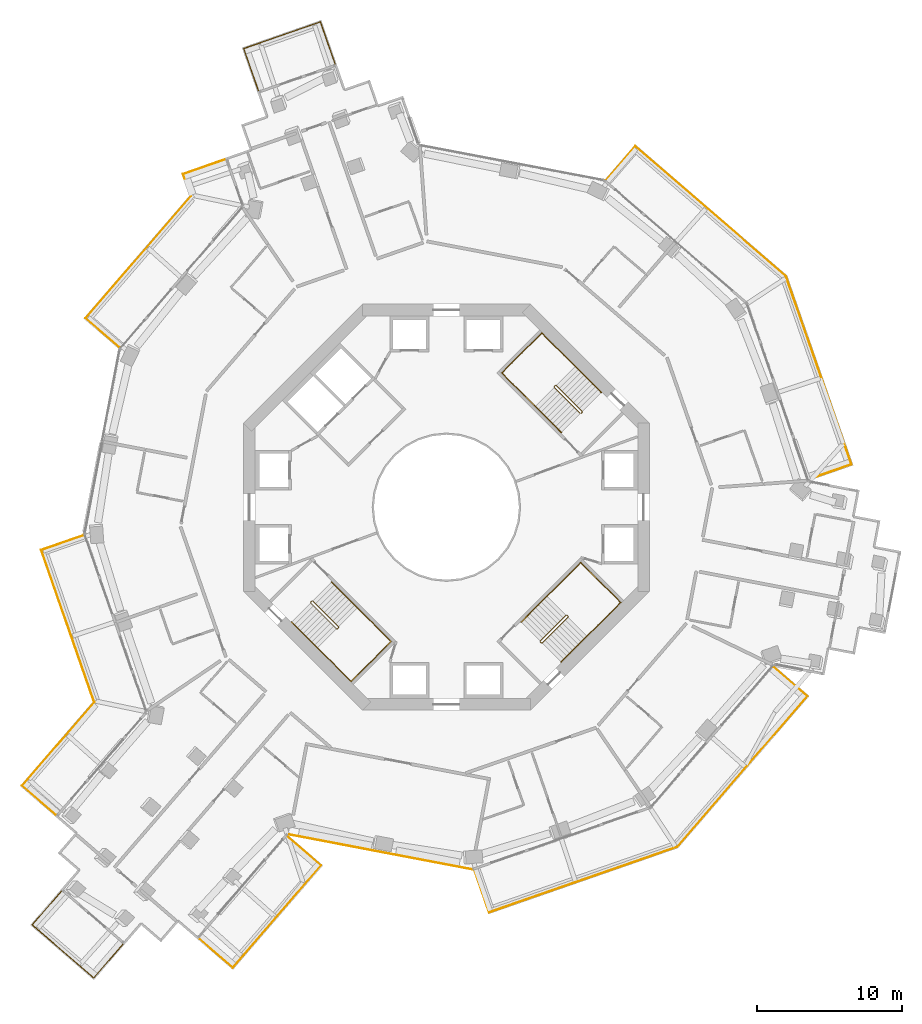
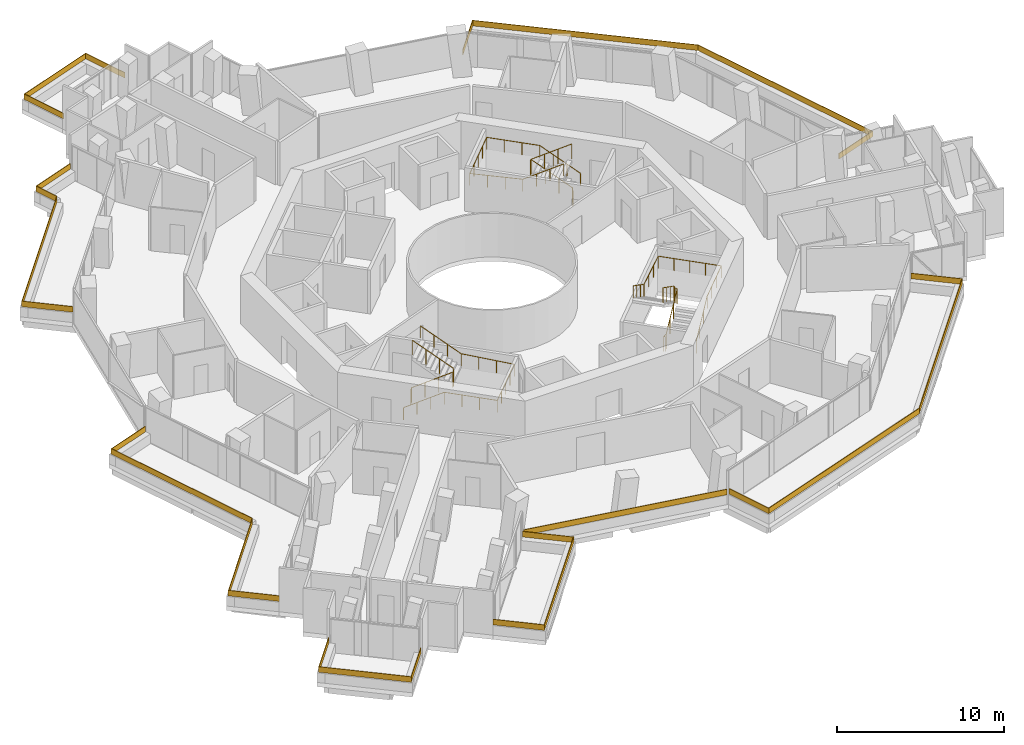
# One storey, part 23 of 23: 14 railings.
"""IFC4 building model written with IfcOpenShell, lengths in metres."""

from ifc_helpers import new_model, si_unit, direction, frame, origin, origin_2d, place, context, subcontext, project, spatial, polyline, rectangle, circle, outline, extrude, material, layer, layer_set, type_object, element, save


model = new_model("IFC4")

# Units and contexts
model_context = context("Model", 3, precision=1e-05, world=origin(), true_north=direction((0.0, 1.0)))
body_context = subcontext(model_context, "Body", "Model", "MODEL_VIEW")
ifc_project = project(units=[si_unit("LENGTHUNIT", "METRE"), si_unit("AREAUNIT", "SQUARE_METRE"), si_unit("VOLUMEUNIT", "CUBIC_METRE"), si_unit("PLANEANGLEUNIT", "RADIAN"), si_unit("MASSUNIT", "GRAM", prefix="KILO")], contexts=[model_context])

# Site, building, storey
site_placement = place(None, origin())
site = spatial("IfcSite", under=ifc_project, at=site_placement, CompositionType="ELEMENT")
building_placement = place(site_placement, origin())
building = spatial("IfcBuilding", under=site, at=building_placement, Name="Verdalira Terraces Hotel", CompositionType="ELEMENT")
storey_placement = place(building_placement, frame((0.0, 0.0, 111.5)))
storey = spatial("IfcBuildingStorey", under=building, at=storey_placement, Name="L26", CompositionType="ELEMENT", Elevation=111.5)

# Railings
ifc_material_1 = material(Name="Laminated glass", Category="glass")
ifc_layer = layer(ifc_material_1, 0.0400390625)
ifc_layer_set = layer_set([ifc_layer], Name="Balcony glass guard 400")
railing_type_1 = type_object("IfcRailingType", Name="Balcony glass guard 400", PredefinedType="GUARDRAIL", material=ifc_layer_set)
railing_1_placement = place(storey_placement, frame((0.0, 0.0, 0.699951)))
element("IfcRailing", 1, at=railing_1_placement, inside=storey, type_object=railing_type_1, Name="Balcony glass guard", PredefinedType="GUARDRAIL", context=body_context, shape_type="SweptSolid", body=[
    extrude(outline(polyline([(-8.70459, 33.449219), (-13.955322, 31.62085), (-12.942627, 28.712891), (-12.980469, 28.699951), (-14.006104, 31.645264), (-8.679932, 33.500244), (-7.654053, 30.554688), (-7.691895, 30.541504), (-8.70459, 33.449219)])), origin(), (0.0, 0.0, 1.0), 0.400146),
])
railing_2_placement = place(storey_placement, frame((0.0, 0.0, 0.699951)))
element("IfcRailing", 2, at=railing_2_placement, inside=storey, type_object=railing_type_1, Name="Balcony glass guard", PredefinedType="GUARDRAIL", context=body_context, shape_type="SweptSolid", body=[
    extrude(outline(polyline([(-18.140625, 22.962646), (-17.609619, 21.437744), (-24.86377, 13.033691), (-22.532959, 11.021973), (-22.559082, 10.991699), (-24.920166, 13.029541), (-17.655029, 21.446533), (-18.19165, 22.987305), (-15.246094, 24.012939), (-15.23291, 23.975342), (-18.140625, 22.962646)])), origin(), (0.0, 0.0, 1.0), 0.400146),
])
railing_3_placement = place(storey_placement, frame((0.0, 0.0, 0.699951)))
element("IfcRailing", 3, at=railing_3_placement, inside=storey, type_object=railing_type_1, Name="Balcony glass guard", PredefinedType="GUARDRAIL", context=body_context, shape_type="SweptSolid", body=[
    extrude(outline(polyline([(-27.915771, -2.965576), (-24.264893, -13.449707), (-29.240479, -19.214111), (-26.909668, -21.226074), (-26.935791, -21.256348), (-29.296875, -19.218262), (-24.310303, -13.441162), (-27.966797, -2.940918), (-25.02124, -1.915283), (-25.008057, -1.952881), (-27.915771, -2.965576)])), origin(), (0.0, 0.0, 1.0), 0.400146),
])
railing_4_placement = place(storey_placement, frame((0.0, 0.0, 0.699951)))
element("IfcRailing", 4, at=railing_4_placement, inside=storey, type_object=railing_type_1, Name="Balcony glass guard", PredefinedType="GUARDRAIL", context=body_context, shape_type="SweptSolid", body=[
    extrude(outline(polyline([(-28.536133, -28.804932), (-24.327148, -32.437988), (-22.31543, -30.107178), (-22.285156, -30.133301), (-24.322998, -32.494385), (-28.592529, -28.809082), (-26.554443, -26.447998), (-26.52417, -26.474121), (-28.536133, -28.804932)])), origin(), (0.0, 0.0, 1.0), 0.400146),
])
railing_5_placement = place(storey_placement, frame((0.0, 0.0, 0.699951)))
element("IfcRailing", 5, at=railing_5_placement, inside=storey, type_object=railing_type_1, Name="Balcony glass guard", PredefinedType="GUARDRAIL", context=body_context, shape_type="SweptSolid", body=[
    extrude(outline(polyline([(-14.736328, -31.733643), (-8.677246, -24.714111), (-11.008057, -22.702148), (-10.981934, -22.671875), (-8.62085, -24.709961), (-14.732178, -31.790039), (-17.093262, -29.751953), (-17.067139, -29.72168), (-14.736328, -31.733643)])), origin(), (0.0, 0.0, 1.0), 0.400146),
])
railing_6_placement = place(storey_placement, frame((0.0, 0.0, 0.699951)))
element("IfcRailing", 6, at=railing_6_placement, inside=storey, type_object=railing_type_1, Name="Balcony glass guard", PredefinedType="GUARDRAIL", context=body_context, shape_type="SweptSolid", body=[
    extrude(outline(polyline([(2.965576, -27.915771), (15.908447, -23.408691), (24.86377, -13.033691), (22.532959, -11.021973), (22.559082, -10.991699), (24.920166, -13.029541), (15.931885, -23.442871), (2.940918, -27.966797), (1.915283, -25.02124), (1.952881, -25.008057), (2.965576, -27.915771)])), origin(), (0.0, 0.0, 1.0), 0.400146),
])
railing_7_placement = place(storey_placement, frame((0.0, 0.0, 0.699951)))
element("IfcRailing", 7, at=railing_7_placement, inside=storey, type_object=railing_type_1, Name="Balcony glass guard", PredefinedType="GUARDRAIL", context=body_context, shape_type="SweptSolid", body=[
    extrude(outline(polyline([(27.915771, 2.965576), (23.408691, 15.908447), (13.033691, 24.86377), (11.021973, 22.532959), (10.991699, 22.559082), (13.029541, 24.920166), (23.442871, 15.931885), (27.966797, 2.940918), (25.02124, 1.915283), (25.008057, 1.952881), (27.915771, 2.965576)])), origin(), (0.0, 0.0, 1.0), 0.400146),
])
railing_8_placement = place(storey_placement, frame((-4.536133, -23.779541, 0.699951), z_axis=(0.0, 0.0, 1.0), x_axis=(0.982287251, -0.187381315, 0.0)))
element("IfcRailing", 8, at=railing_8_placement, inside=storey, type_object=railing_type_1, Name="Loggia glass guard", PredefinedType="GUARDRAIL", context=body_context, shape_type="SweptSolid", body=[
    extrude(rectangle(XDim=12.840088, YDim=0.040039, at=origin_2d()), origin(), (0.0, 0.0, 1.0), 0.399902),
])
ifc_material_2 = material(Name="Stainless steel", Category="steel")
railing_type_2 = type_object("IfcRailingType", Name="Stair guard 1100", PredefinedType="GUARDRAIL", material=ifc_material_2)
railing_9_placement = place(storey_placement, frame((9.369141, 6.540771, 0.0)))
element("IfcRailing", 9, at=railing_9_placement, inside=storey, type_object=railing_type_2, Name="L26 ST1 stair guard 1", PredefinedType="GUARDRAIL", context=body_context, shape_type="SweptSolid", body=[
    extrude(circle(Radius=0.023926, at=origin_2d()), frame((0.0, 0.0, 1.076172), z_axis=(-0.707106781, -0.707106781, 0.0), x_axis=(0.707106781, -0.707106781, 0.0)), (0.0, 0.0, 1.0), 0.100098),
    extrude(circle(Radius=0.023926, at=origin_2d()), frame((-0.070801, -0.070801, 1.076172), z_axis=(0.300162975, 0.599290904, 0.742127078), x_axis=(-0.894118129, 0.447831187, 0.0)), (0.0, 0.0, 1.0), 0.23584),
    extrude(circle(Radius=0.023926, at=origin_2d()), frame((0.0, 0.070557, 1.250977), z_axis=(-0.599637504, 0.599637504, 0.52997144), x_axis=(-0.707106781, -0.707106781, 0.0)), (0.0, 0.0, 1.0), 2.97168),
    extrude(circle(Radius=0.023926, at=origin_2d()), frame((-1.781982, 1.852539, 2.826172), z_axis=(-1.0, 0.0, 0.0), x_axis=(0.0, -1.0, 0.0)), (0.0, 0.0, 1.0), 0.070557),
    extrude(circle(Radius=0.023926, at=origin_2d()), frame((-1.852539, 1.852539, 2.826172), z_axis=(-0.70832698, -0.705884473, 0.0), x_axis=(0.705884473, -0.70832698, 0.0)), (0.0, 0.0, 1.0), 0.099854),
    extrude(circle(Radius=0.023926, at=origin_2d()), frame((-1.92334, 1.781982, 2.826172), z_axis=(0.0, -0.374954687, 0.92704314), x_axis=(1.0, 0.0, 0.0)), (0.0, 0.0, 1.0), 0.188721),
    extrude(circle(Radius=0.023926, at=origin_2d()), frame((-1.92334, 1.711182, 3.000977), z_axis=(0.599637504, -0.599637504, 0.52997144), x_axis=(0.707106781, 0.707106781, 0.0)), (0.0, 0.0, 1.0), 2.97168),
    extrude(circle(Radius=0.020996, at=origin_2d()), origin(), (0.0, 0.0, 1.0), 1.052002),
    extrude(circle(Radius=0.020996, at=origin_2d()), frame((-0.070801, -0.070801, 0.0)), (0.0, 0.0, 1.0), 1.052002),
    extrude(circle(Radius=0.020996, at=origin_2d()), frame((0.0, 0.070557, 0.175049)), (0.0, 0.0, 1.0), 1.052002),
    extrude(circle(Radius=0.020996, at=origin_2d()), frame((-0.593994, 0.664551, 0.699951)), (0.0, 0.0, 1.0), 1.052002),
    extrude(circle(Radius=0.020996, at=origin_2d()), frame((-1.187988, 1.258545, 1.225098)), (0.0, 0.0, 1.0), 1.052002),
    extrude(circle(Radius=0.020996, at=origin_2d()), frame((-1.781982, 1.852539, 1.75)), (0.0, 0.0, 1.0), 1.052002),
    extrude(circle(Radius=0.020996, at=origin_2d()), frame((-1.852539, 1.852539, 1.75)), (0.0, 0.0, 1.0), 1.052002),
    extrude(circle(Radius=0.020996, at=origin_2d()), frame((-1.92334, 1.781982, 1.75)), (0.0, 0.0, 1.0), 1.052002),
    extrude(circle(Radius=0.020996, at=origin_2d()), frame((-1.92334, 1.711182, 1.925049)), (0.0, 0.0, 1.0), 1.052002),
    extrude(circle(Radius=0.020996, at=origin_2d()), frame((-1.329346, 1.117188, 2.449951)), (0.0, 0.0, 1.0), 1.052002),
    extrude(circle(Radius=0.020996, at=origin_2d()), frame((-0.735352, 0.523193, 2.975098)), (0.0, 0.0, 1.0), 1.052002),
    extrude(circle(Radius=0.020996, at=origin_2d()), frame((-0.141357, -0.070801, 3.5)), (0.0, 0.0, 1.0), 1.052002),
])
railing_10_placement = place(storey_placement, frame((-9.369141, -6.540771, 0.0)))
element("IfcRailing", 10, at=railing_10_placement, inside=storey, type_object=railing_type_2, Name="L26 ST2 stair guard 1", PredefinedType="GUARDRAIL", context=body_context, shape_type="SweptSolid", body=[
    extrude(circle(Radius=0.023926, at=origin_2d()), frame((0.0, 0.0, 1.076172), z_axis=(0.707106781, 0.707106781, 0.0), x_axis=(-0.707106781, 0.707106781, 0.0)), (0.0, 0.0, 1.0), 0.100098),
    extrude(circle(Radius=0.023926, at=origin_2d()), frame((0.070801, 0.070801, 1.076172), z_axis=(-0.300162975, -0.599290904, 0.742127078), x_axis=(0.894118129, -0.447831187, 0.0)), (0.0, 0.0, 1.0), 0.23584),
    extrude(circle(Radius=0.023926, at=origin_2d()), frame((0.0, -0.070557, 1.250977), z_axis=(0.599637504, -0.599637504, 0.52997144), x_axis=(0.707106781, 0.707106781, 0.0)), (0.0, 0.0, 1.0), 2.97168),
    extrude(circle(Radius=0.023926, at=origin_2d()), frame((1.781982, -1.852539, 2.826172), z_axis=(1.0, 0.0, 0.0), x_axis=(0.0, 1.0, 0.0)), (0.0, 0.0, 1.0), 0.070557),
    extrude(circle(Radius=0.023926, at=origin_2d()), frame((1.852539, -1.852539, 2.826172), z_axis=(0.70832698, 0.705884473, 0.0), x_axis=(-0.705884473, 0.70832698, 0.0)), (0.0, 0.0, 1.0), 0.099854),
    extrude(circle(Radius=0.023926, at=origin_2d()), frame((1.92334, -1.781982, 2.826172), z_axis=(0.0, 0.374954687, 0.92704314), x_axis=(-1.0, 0.0, 0.0)), (0.0, 0.0, 1.0), 0.188721),
    extrude(circle(Radius=0.023926, at=origin_2d()), frame((1.92334, -1.711182, 3.000977), z_axis=(-0.599637504, 0.599637504, 0.52997144), x_axis=(-0.707106781, -0.707106781, 0.0)), (0.0, 0.0, 1.0), 2.97168),
    extrude(circle(Radius=0.020996, at=origin_2d()), origin(), (0.0, 0.0, 1.0), 1.052002),
    extrude(circle(Radius=0.020996, at=origin_2d()), frame((0.070801, 0.070801, 0.0)), (0.0, 0.0, 1.0), 1.052002),
    extrude(circle(Radius=0.020996, at=origin_2d()), frame((0.0, -0.070557, 0.175049)), (0.0, 0.0, 1.0), 1.052002),
    extrude(circle(Radius=0.020996, at=origin_2d()), frame((0.593994, -0.664551, 0.699951)), (0.0, 0.0, 1.0), 1.052002),
    extrude(circle(Radius=0.020996, at=origin_2d()), frame((1.187988, -1.258545, 1.225098)), (0.0, 0.0, 1.0), 1.052002),
    extrude(circle(Radius=0.020996, at=origin_2d()), frame((1.781982, -1.852539, 1.75)), (0.0, 0.0, 1.0), 1.052002),
    extrude(circle(Radius=0.020996, at=origin_2d()), frame((1.852539, -1.852539, 1.75)), (0.0, 0.0, 1.0), 1.052002),
    extrude(circle(Radius=0.020996, at=origin_2d()), frame((1.92334, -1.781982, 1.75)), (0.0, 0.0, 1.0), 1.052002),
    extrude(circle(Radius=0.020996, at=origin_2d()), frame((1.92334, -1.711182, 1.925049)), (0.0, 0.0, 1.0), 1.052002),
    extrude(circle(Radius=0.020996, at=origin_2d()), frame((1.329346, -1.117188, 2.449951)), (0.0, 0.0, 1.0), 1.052002),
    extrude(circle(Radius=0.020996, at=origin_2d()), frame((0.735352, -0.523193, 2.975098)), (0.0, 0.0, 1.0), 1.052002),
    extrude(circle(Radius=0.020996, at=origin_2d()), frame((0.141357, 0.070801, 3.5)), (0.0, 0.0, 1.0), 1.052002),
])
railing_11_placement = place(storey_placement, frame((6.540771, -9.369141, 0.0)))
element("IfcRailing", 11, at=railing_11_placement, inside=storey, type_object=railing_type_2, Name="L26 ST3 stair guard 1", PredefinedType="GUARDRAIL", context=body_context, shape_type="SweptSolid", body=[
    extrude(circle(Radius=0.023926, at=origin_2d()), frame((0.0, 0.0, 1.076172), z_axis=(-0.707106781, 0.707106781, 0.0), x_axis=(-0.707106781, -0.707106781, 0.0)), (0.0, 0.0, 1.0), 0.100098),
    extrude(circle(Radius=0.023926, at=origin_2d()), frame((-0.070801, 0.070801, 1.076172), z_axis=(0.599290904, -0.300162975, 0.742127078), x_axis=(0.447831187, 0.894118129, 0.0)), (0.0, 0.0, 1.0), 0.23584),
    extrude(circle(Radius=0.023926, at=origin_2d()), frame((0.070557, 0.0, 1.250977), z_axis=(0.599637504, 0.599637504, 0.52997144), x_axis=(-0.707106781, 0.707106781, 0.0)), (0.0, 0.0, 1.0), 2.97168),
    extrude(circle(Radius=0.023926, at=origin_2d()), frame((1.852539, 1.781982, 2.826172), z_axis=(0.0, 1.0, 0.0), x_axis=(-1.0, 0.0, 0.0)), (0.0, 0.0, 1.0), 0.070557),
    extrude(circle(Radius=0.023926, at=origin_2d()), frame((1.852539, 1.852539, 2.826172), z_axis=(-0.705884473, 0.70832698, 0.0), x_axis=(-0.70832698, -0.705884473, 0.0)), (0.0, 0.0, 1.0), 0.099854),
    extrude(circle(Radius=0.023926, at=origin_2d()), frame((1.781982, 1.92334, 2.826172), z_axis=(-0.374954687, 0.0, 0.92704314), x_axis=(0.0, -1.0, 0.0)), (0.0, 0.0, 1.0), 0.188721),
    extrude(circle(Radius=0.023926, at=origin_2d()), frame((1.711182, 1.92334, 3.000977), z_axis=(-0.599637504, -0.599637504, 0.52997144), x_axis=(0.707106781, -0.707106781, 0.0)), (0.0, 0.0, 1.0), 2.97168),
    extrude(circle(Radius=0.020996, at=origin_2d()), origin(), (0.0, 0.0, 1.0), 1.052002),
    extrude(circle(Radius=0.020996, at=origin_2d()), frame((-0.070801, 0.070801, 0.0)), (0.0, 0.0, 1.0), 1.052002),
    extrude(circle(Radius=0.020996, at=origin_2d()), frame((0.070557, 0.0, 0.175049)), (0.0, 0.0, 1.0), 1.052002),
    extrude(circle(Radius=0.020996, at=origin_2d()), frame((0.664551, 0.593994, 0.699951)), (0.0, 0.0, 1.0), 1.052002),
    extrude(circle(Radius=0.020996, at=origin_2d()), frame((1.258545, 1.187988, 1.225098)), (0.0, 0.0, 1.0), 1.052002),
    extrude(circle(Radius=0.020996, at=origin_2d()), frame((1.852539, 1.781982, 1.75)), (0.0, 0.0, 1.0), 1.052002),
    extrude(circle(Radius=0.020996, at=origin_2d()), frame((1.852539, 1.852539, 1.75)), (0.0, 0.0, 1.0), 1.052002),
    extrude(circle(Radius=0.020996, at=origin_2d()), frame((1.781982, 1.92334, 1.75)), (0.0, 0.0, 1.0), 1.052002),
    extrude(circle(Radius=0.020996, at=origin_2d()), frame((1.711182, 1.92334, 1.925049)), (0.0, 0.0, 1.0), 1.052002),
    extrude(circle(Radius=0.020996, at=origin_2d()), frame((1.117188, 1.329346, 2.449951)), (0.0, 0.0, 1.0), 1.052002),
    extrude(circle(Radius=0.020996, at=origin_2d()), frame((0.523193, 0.735352, 2.975098)), (0.0, 0.0, 1.0), 1.052002),
    extrude(circle(Radius=0.020996, at=origin_2d()), frame((-0.070801, 0.141357, 3.5)), (0.0, 0.0, 1.0), 1.052002),
])
ifc_material_3 = material(Name="Stainless steel", Category="steel")
railing_type_3 = type_object("IfcRailingType", Name="Stair handrail 900", PredefinedType="HANDRAIL", material=ifc_material_3)
railing_12_placement = place(storey_placement, frame((10.677246, 7.919678, 0.175049)))
element("IfcRailing", 12, at=railing_12_placement, inside=storey, type_object=railing_type_3, Name="L26 ST1 stair handrail 1", PredefinedType="HANDRAIL", context=body_context, shape_type="SweptSolid", body=[
    extrude(circle(Radius=0.023926, at=origin_2d()), frame((0.0, 0.0, 0.875977), z_axis=(-0.599614426, 0.599614426, 0.530023659), x_axis=(-0.707106781, -0.707106781, 0.0)), (0.0, 0.0, 1.0), 2.971436),
    extrude(circle(Radius=0.023926, at=origin_2d()), frame((-1.781738, 1.781738, 2.450684), z_axis=(-0.707106781, 0.707106781, 0.0), x_axis=(-0.707106781, -0.707106781, 0.0)), (0.0, 0.0, 1.0), 3.280029),
    extrude(circle(Radius=0.023926, at=origin_2d()), frame((-4.101074, 4.101074, 2.450684), z_axis=(-0.707138081, -0.70707548, 0.0), x_axis=(0.70707548, -0.707138081, 0.0)), (0.0, 0.0, 1.0), 3.899902),
    extrude(circle(Radius=0.023926, at=origin_2d()), frame((-6.858887, 1.343506, 2.450684), z_axis=(0.706101958, -0.706101958, 0.053292116), x_axis=(0.707106781, 0.707106781, 0.0)), (0.0, 0.0, 1.0), 3.284668),
    extrude(circle(Radius=0.023926, at=origin_2d()), frame((-4.539551, -0.97583, 2.625977), z_axis=(0.599637504, -0.599637504, 0.52997144), x_axis=(0.707106781, 0.707106781, 0.0)), (0.0, 0.0, 1.0), 2.97168),
    extrude(circle(Radius=0.020996, at=origin_2d()), origin(), (0.0, 0.0, 1.0), 0.851807),
    extrude(circle(Radius=0.020996, at=origin_2d()), frame((-0.593994, 0.593994, 0.524902)), (0.0, 0.0, 1.0), 0.851807),
    extrude(circle(Radius=0.020996, at=origin_2d()), frame((-1.187744, 1.187744, 1.050049)), (0.0, 0.0, 1.0), 0.851807),
    extrude(circle(Radius=0.020996, at=origin_2d()), frame((-1.781738, 1.781738, 1.574951)), (0.0, 0.0, 1.0), 0.851807),
    extrude(circle(Radius=0.020996, at=origin_2d()), frame((-2.554932, 2.554932, 1.574951)), (0.0, 0.0, 1.0), 0.851807),
    extrude(circle(Radius=0.020996, at=origin_2d()), frame((-3.327881, 3.327881, 1.574951)), (0.0, 0.0, 1.0), 0.851807),
    extrude(circle(Radius=0.020996, at=origin_2d()), frame((-4.101074, 4.101074, 1.574951)), (0.0, 0.0, 1.0), 0.851807),
    extrude(circle(Radius=0.020996, at=origin_2d()), frame((-4.790527, 3.411621, 1.574951)), (0.0, 0.0, 1.0), 0.851807),
    extrude(circle(Radius=0.020996, at=origin_2d()), frame((-5.47998, 2.722168, 1.574951)), (0.0, 0.0, 1.0), 0.851807),
    extrude(circle(Radius=0.020996, at=origin_2d()), frame((-6.169434, 2.032959, 1.574951)), (0.0, 0.0, 1.0), 0.851807),
    extrude(circle(Radius=0.020996, at=origin_2d()), frame((-6.858887, 1.343506, 1.574951)), (0.0, 0.0, 1.0), 0.851807),
    extrude(circle(Radius=0.020996, at=origin_2d()), frame((-6.085693, 0.570312, 1.633301)), (0.0, 0.0, 1.0), 0.851807),
    extrude(circle(Radius=0.020996, at=origin_2d()), frame((-5.312744, -0.202637, 1.69165)), (0.0, 0.0, 1.0), 0.851807),
    extrude(circle(Radius=0.020996, at=origin_2d()), frame((-4.539551, -0.97583, 1.75)), (0.0, 0.0, 1.0), 0.851807),
    extrude(circle(Radius=0.020996, at=origin_2d()), frame((-3.945557, -1.569824, 2.274902)), (0.0, 0.0, 1.0), 0.851807),
    extrude(circle(Radius=0.020996, at=origin_2d()), frame((-3.351562, -2.163818, 2.800049)), (0.0, 0.0, 1.0), 0.851807),
    extrude(circle(Radius=0.020996, at=origin_2d()), frame((-2.757568, -2.757812, 3.324951)), (0.0, 0.0, 1.0), 0.851807),
])
railing_13_placement = place(storey_placement, frame((-10.677246, -7.919678, 0.175049)))
element("IfcRailing", 13, at=railing_13_placement, inside=storey, type_object=railing_type_3, Name="L26 ST2 stair handrail 1", PredefinedType="HANDRAIL", context=body_context, shape_type="SweptSolid", body=[
    extrude(circle(Radius=0.023926, at=origin_2d()), frame((0.0, 0.0, 0.875977), z_axis=(0.599614426, -0.599614426, 0.530023659), x_axis=(0.707106781, 0.707106781, 0.0)), (0.0, 0.0, 1.0), 2.971436),
    extrude(circle(Radius=0.023926, at=origin_2d()), frame((1.781738, -1.781738, 2.450684), z_axis=(0.707106781, -0.707106781, 0.0), x_axis=(0.707106781, 0.707106781, 0.0)), (0.0, 0.0, 1.0), 3.280029),
    extrude(circle(Radius=0.023926, at=origin_2d()), frame((4.101074, -4.101074, 2.450684), z_axis=(0.707138081, 0.70707548, 0.0), x_axis=(-0.70707548, 0.707138081, 0.0)), (0.0, 0.0, 1.0), 3.899902),
    extrude(circle(Radius=0.023926, at=origin_2d()), frame((6.858887, -1.343506, 2.450684), z_axis=(-0.706101958, 0.706101958, 0.053292116), x_axis=(-0.707106781, -0.707106781, 0.0)), (0.0, 0.0, 1.0), 3.284668),
    extrude(circle(Radius=0.023926, at=origin_2d()), frame((4.539551, 0.97583, 2.625977), z_axis=(-0.599637504, 0.599637504, 0.52997144), x_axis=(-0.707106781, -0.707106781, 0.0)), (0.0, 0.0, 1.0), 2.97168),
    extrude(circle(Radius=0.020996, at=origin_2d()), origin(), (0.0, 0.0, 1.0), 0.851807),
    extrude(circle(Radius=0.020996, at=origin_2d()), frame((0.593994, -0.593994, 0.524902)), (0.0, 0.0, 1.0), 0.851807),
    extrude(circle(Radius=0.020996, at=origin_2d()), frame((1.187744, -1.187744, 1.050049)), (0.0, 0.0, 1.0), 0.851807),
    extrude(circle(Radius=0.020996, at=origin_2d()), frame((1.781738, -1.781738, 1.574951)), (0.0, 0.0, 1.0), 0.851807),
    extrude(circle(Radius=0.020996, at=origin_2d()), frame((2.554932, -2.554932, 1.574951)), (0.0, 0.0, 1.0), 0.851807),
    extrude(circle(Radius=0.020996, at=origin_2d()), frame((3.327881, -3.327881, 1.574951)), (0.0, 0.0, 1.0), 0.851807),
    extrude(circle(Radius=0.020996, at=origin_2d()), frame((4.101074, -4.101074, 1.574951)), (0.0, 0.0, 1.0), 0.851807),
    extrude(circle(Radius=0.020996, at=origin_2d()), frame((4.790527, -3.411621, 1.574951)), (0.0, 0.0, 1.0), 0.851807),
    extrude(circle(Radius=0.020996, at=origin_2d()), frame((5.47998, -2.722168, 1.574951)), (0.0, 0.0, 1.0), 0.851807),
    extrude(circle(Radius=0.020996, at=origin_2d()), frame((6.169434, -2.032959, 1.574951)), (0.0, 0.0, 1.0), 0.851807),
    extrude(circle(Radius=0.020996, at=origin_2d()), frame((6.858887, -1.343506, 1.574951)), (0.0, 0.0, 1.0), 0.851807),
    extrude(circle(Radius=0.020996, at=origin_2d()), frame((6.085693, -0.570312, 1.633301)), (0.0, 0.0, 1.0), 0.851807),
    extrude(circle(Radius=0.020996, at=origin_2d()), frame((5.312744, 0.202637, 1.69165)), (0.0, 0.0, 1.0), 0.851807),
    extrude(circle(Radius=0.020996, at=origin_2d()), frame((4.539551, 0.97583, 1.75)), (0.0, 0.0, 1.0), 0.851807),
    extrude(circle(Radius=0.020996, at=origin_2d()), frame((3.945557, 1.569824, 2.274902)), (0.0, 0.0, 1.0), 0.851807),
    extrude(circle(Radius=0.020996, at=origin_2d()), frame((3.351562, 2.163818, 2.800049)), (0.0, 0.0, 1.0), 0.851807),
    extrude(circle(Radius=0.020996, at=origin_2d()), frame((2.757568, 2.757812, 3.324951)), (0.0, 0.0, 1.0), 0.851807),
])
railing_14_placement = place(storey_placement, frame((7.919678, -10.677246, 0.175049)))
element("IfcRailing", 14, at=railing_14_placement, inside=storey, type_object=railing_type_3, Name="L26 ST3 stair handrail 1", PredefinedType="HANDRAIL", context=body_context, shape_type="SweptSolid", body=[
    extrude(circle(Radius=0.023926, at=origin_2d()), frame((0.0, 0.0, 0.875977), z_axis=(0.599614426, 0.599614426, 0.530023659), x_axis=(-0.707106781, 0.707106781, 0.0)), (0.0, 0.0, 1.0), 2.971436),
    extrude(circle(Radius=0.023926, at=origin_2d()), frame((1.781738, 1.781738, 2.450684), z_axis=(0.707106781, 0.707106781, 0.0), x_axis=(-0.707106781, 0.707106781, 0.0)), (0.0, 0.0, 1.0), 3.280029),
    extrude(circle(Radius=0.023926, at=origin_2d()), frame((4.101074, 4.101074, 2.450684), z_axis=(-0.70707548, 0.707138081, 0.0), x_axis=(-0.707138081, -0.70707548, 0.0)), (0.0, 0.0, 1.0), 3.899902),
    extrude(circle(Radius=0.023926, at=origin_2d()), frame((1.343506, 6.858887, 2.450684), z_axis=(-0.706101958, -0.706101958, 0.053292116), x_axis=(0.707106781, -0.707106781, 0.0)), (0.0, 0.0, 1.0), 3.284668),
    extrude(circle(Radius=0.023926, at=origin_2d()), frame((-0.97583, 4.539551, 2.625977), z_axis=(-0.599637504, -0.599637504, 0.52997144), x_axis=(0.707106781, -0.707106781, 0.0)), (0.0, 0.0, 1.0), 2.97168),
    extrude(circle(Radius=0.020996, at=origin_2d()), origin(), (0.0, 0.0, 1.0), 0.851807),
    extrude(circle(Radius=0.020996, at=origin_2d()), frame((0.593994, 0.593994, 0.524902)), (0.0, 0.0, 1.0), 0.851807),
    extrude(circle(Radius=0.020996, at=origin_2d()), frame((1.187744, 1.187744, 1.050049)), (0.0, 0.0, 1.0), 0.851807),
    extrude(circle(Radius=0.020996, at=origin_2d()), frame((1.781738, 1.781738, 1.574951)), (0.0, 0.0, 1.0), 0.851807),
    extrude(circle(Radius=0.020996, at=origin_2d()), frame((2.554932, 2.554932, 1.574951)), (0.0, 0.0, 1.0), 0.851807),
    extrude(circle(Radius=0.020996, at=origin_2d()), frame((3.327881, 3.327881, 1.574951)), (0.0, 0.0, 1.0), 0.851807),
    extrude(circle(Radius=0.020996, at=origin_2d()), frame((4.101074, 4.101074, 1.574951)), (0.0, 0.0, 1.0), 0.851807),
    extrude(circle(Radius=0.020996, at=origin_2d()), frame((3.411621, 4.790527, 1.574951)), (0.0, 0.0, 1.0), 0.851807),
    extrude(circle(Radius=0.020996, at=origin_2d()), frame((2.722168, 5.47998, 1.574951)), (0.0, 0.0, 1.0), 0.851807),
    extrude(circle(Radius=0.020996, at=origin_2d()), frame((2.032959, 6.169434, 1.574951)), (0.0, 0.0, 1.0), 0.851807),
    extrude(circle(Radius=0.020996, at=origin_2d()), frame((1.343506, 6.858887, 1.574951)), (0.0, 0.0, 1.0), 0.851807),
    extrude(circle(Radius=0.020996, at=origin_2d()), frame((0.570312, 6.085693, 1.633301)), (0.0, 0.0, 1.0), 0.851807),
    extrude(circle(Radius=0.020996, at=origin_2d()), frame((-0.202637, 5.312744, 1.69165)), (0.0, 0.0, 1.0), 0.851807),
    extrude(circle(Radius=0.020996, at=origin_2d()), frame((-0.97583, 4.539551, 1.75)), (0.0, 0.0, 1.0), 0.851807),
    extrude(circle(Radius=0.020996, at=origin_2d()), frame((-1.569824, 3.945557, 2.274902)), (0.0, 0.0, 1.0), 0.851807),
    extrude(circle(Radius=0.020996, at=origin_2d()), frame((-2.163818, 3.351562, 2.800049)), (0.0, 0.0, 1.0), 0.851807),
    extrude(circle(Radius=0.020996, at=origin_2d()), frame((-2.757812, 2.757568, 3.324951)), (0.0, 0.0, 1.0), 0.851807),
])

save(model, "model.ifc")
